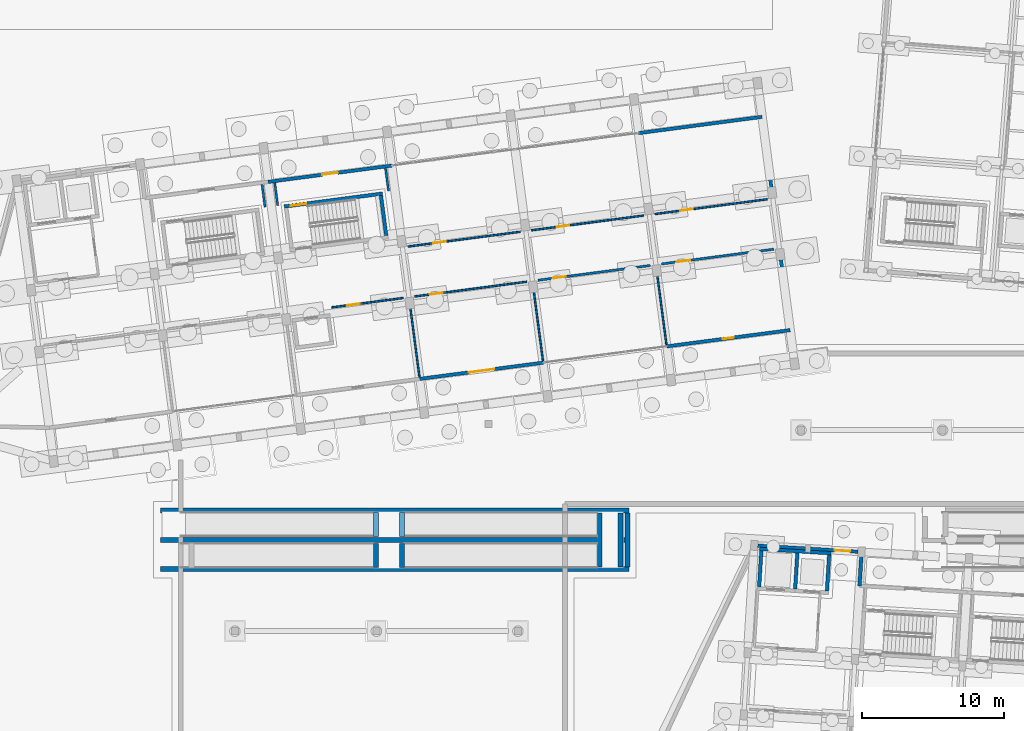
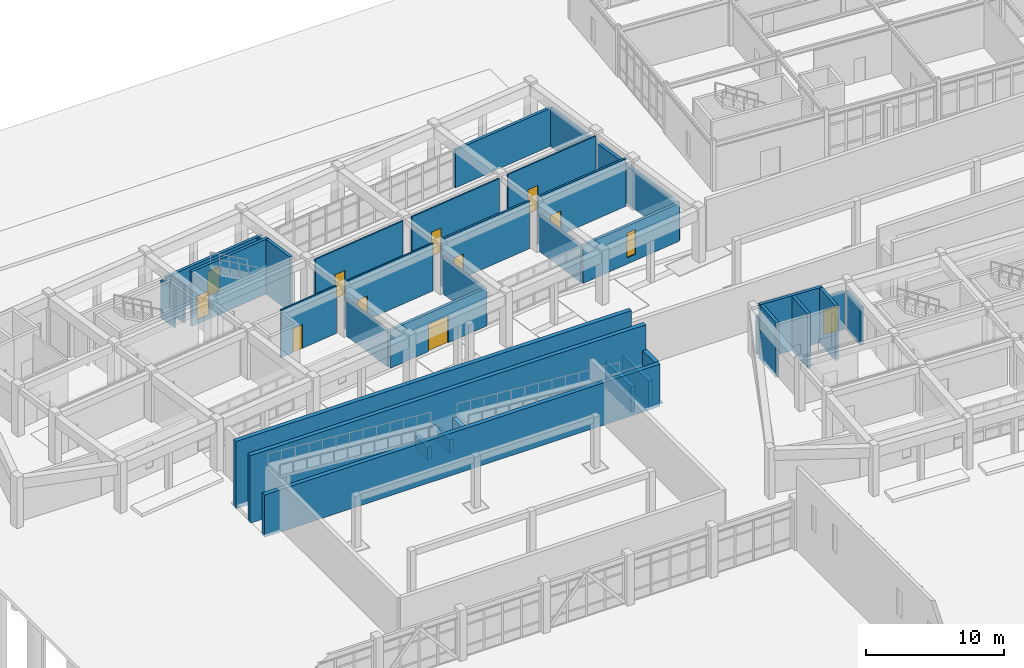
# One storey, part 124 of 154: 36 walls, 11 doors, 1 window, 12 openings.
"""IFC4 building model written with IfcOpenShell, lengths in metres."""

from ifc_helpers import new_model, si_unit, direction, frame, frame_2d, origin, place, context, subcontext, project, spatial, rectangle, extrude, material, layer, layer_set, type_object, element, fill, save


model = new_model("IFC4")

# Units and contexts
model_context = context("Model", 3, precision=1e-05, world=origin(), true_north=direction((0.0, 1.0)))
body_context = subcontext(model_context, "Body", "Model", "MODEL_VIEW")
ifc_project = project(units=[si_unit("LENGTHUNIT", "METRE"), si_unit("AREAUNIT", "SQUARE_METRE"), si_unit("VOLUMEUNIT", "CUBIC_METRE"), si_unit("PLANEANGLEUNIT", "RADIAN"), si_unit("MASSUNIT", "GRAM", prefix="KILO")], contexts=[model_context])

# Site, building, storey
site_placement = place(None, origin())
site = spatial("IfcSite", under=ifc_project, at=site_placement, CompositionType="ELEMENT")
building_placement = place(site_placement, origin())
building = spatial("IfcBuilding", under=site, at=building_placement, Name="Kestramere Prow Commons", CompositionType="ELEMENT")
storey_placement = place(building_placement, origin())
storey = spatial("IfcBuildingStorey", under=building, at=storey_placement, Name="L00", CompositionType="ELEMENT", Elevation=0.0)

# Walls
ifc_material_1 = material(Name="Weathered Zinc-Titanium Standing-Seam Cladding")
ifc_layer_1 = layer(ifc_material_1, 0.260009765625)
ifc_layer_set_1 = layer_set([ifc_layer_1], Name="Weathered Zinc-Titanium Standing-Seam Cladding")
wall_type_1 = type_object("IfcWallType", Name="EW-PROW-260", PredefinedType="SOLIDWALL", material=ifc_layer_set_1)
wall_1_placement = place(storey_placement, frame((61.2509765625, 96.34130859375, 0.0), z_axis=(0.0, 0.0, 1.0), x_axis=(0.13053386968, -0.991443850587, 0.0)))
element("IfcWall", 1, at=wall_1_placement, inside=storey, type_object=wall_type_1, Name="Block A L00 EAV Wall", PredefinedType="SOLIDWALL", context=body_context, shape_type="SweptSolid", body=[
    extrude(rectangle(XDim=15.2001953125, YDim=0.260009765625, at=frame_2d((7.60009765625, 0.0))), origin(), (0.0, 0.0, 1.0), 3.35009765625),
])
wall_2_placement = place(storey_placement, frame((68.282470703125, 65.599365234375, 0.0), z_axis=(0.0, 0.0, 1.0), x_axis=(-0.061136950836, -0.998129387025, 0.0)))
element("IfcWall", 2, at=wall_2_placement, inside=storey, type_object=wall_type_1, Name="Block C L00 STP-N Wall", PredefinedType="SOLIDWALL", context=body_context, shape_type="SweptSolid", body=[
    extrude(rectangle(XDim=2.39990234375, YDim=0.260009765625, at=frame_2d((1.199951171875, 0.0))), origin(), (0.0, 0.0, 1.0), 3.35009765625),
])

# Wall, opening, door
ifc_material_2 = material(Name="Fluoropolymer Standing-Seam Zinc-Aluminium Cladding", Category="aluminium")
ifc_layer_2 = layer(ifc_material_2, 0.239990234375)
ifc_layer_set_2 = layer_set([ifc_layer_2], Name="Fluoropolymer Standing-Seam Zinc-Aluminium Cladding")
wall_type_2 = type_object("IfcWallType", Name="EW-SEAM-240", PredefinedType="SOLIDWALL", material=ifc_layer_set_2)
wall_3_placement = place(storey_placement, frame((45.78564453125, 78.973876953125, 0.0), z_axis=(0.0, 0.0, 1.0), x_axis=(-0.991447967712, -0.130502595073, 0.0)))
wall_3 = element("IfcWall", 3, at=wall_3_placement, inside=storey, type_object=wall_type_2, Name="Block A L00 South Recessed Wall 4", PredefinedType="SOLIDWALL", context=body_context, shape_type="SweptSolid", body=[
    extrude(rectangle(XDim=8.800048828125, YDim=0.239990234375, at=frame_2d((4.39990234375, 0.0))), origin(), (0.0, 0.0, 1.0), 3.35009765625),
])
opening_1_placement = place(wall_3_placement, frame((3.5, 0.0, 0.0)))
opening_1 = element("IfcOpeningElement", 4, at=opening_1_placement, cuts=wall_3, Name="Opening ED-01", PredefinedType="OPENING", context=body_context, shape_type="SweptSolid", body=[
    extrude(rectangle(XDim=1.800048828125, YDim=2.39990234375, at=frame_2d((0.89990234375, 1.199951171875))), frame((0.0, 0.135009765625, 0.0), z_axis=(0.0, -1.0, 0.0), x_axis=(1.0, 0.0, 0.0)), (0.0, 0.0, 1.0), 0.27001953125),
])
ifc_material_3 = material(Name="Thermally-Broken Anodised Aluminium Glazed", Category="aluminium")
door_type_1 = type_object("IfcDoorType", Name="ED-MAIN-1800", OperationType="DOUBLE_DOOR_SINGLE_SWING", PredefinedType="DOOR", material=ifc_material_3)
door_1_placement = place(opening_1_placement, origin())
door_1 = element("IfcDoor", 5, at=door_1_placement, inside=storey, type_object=door_type_1, Name="Block A Main Sheltered Entrance Door", OperationType="DOUBLE_DOOR_SINGLE_SWING", OverallHeight=2.39990234375, OverallWidth=1.800048828125, PredefinedType="DOOR", context=body_context, shape_type="SweptSolid", body=[
    extrude(rectangle(XDim=1.800048828125, YDim=2.39990234375, at=frame_2d((0.89990234375, 1.199951171875))), frame((0.0, 0.02490234375, 0.0), z_axis=(0.0, -1.0, 0.0), x_axis=(1.0, 0.0, 0.0)), (0.0, 0.0, 1.0), 0.050048828125),
])
fill(opening_1, door_1)

# Wall, opening, window
wall_4_placement = place(storey_placement, frame((63.235107421875, 81.271240234375, 0.0), z_axis=(0.0, 0.0, 1.0), x_axis=(-0.991444377792, -0.130529865336, 0.0)))
wall_4 = element("IfcWall", 6, at=wall_4_placement, inside=storey, type_object=wall_type_2, Name="Block A L00 South Recessed Wall 6", PredefinedType="SOLIDWALL", context=body_context, shape_type="SweptSolid", body=[
    extrude(rectangle(XDim=8.800048828125, YDim=0.239990234375, at=frame_2d((4.39990234375, 0.0))), origin(), (0.0, 0.0, 1.0), 3.35009765625),
])
opening_2_placement = place(wall_4_placement, frame((4.010009765625, 0.0, 0.550048828125)))
opening_2 = element("IfcOpeningElement", 7, at=opening_2_placement, cuts=wall_4, Name="Opening WN-11", PredefinedType="OPENING", context=body_context, shape_type="SweptSolid", body=[
    extrude(rectangle(XDim=0.780029296875, YDim=2.199951171875, at=frame_2d((0.39013671875, 1.10009765625))), frame((0.0, 0.135009765625, 0.0), z_axis=(0.0, -1.0, 0.0), x_axis=(1.0, 0.0, 0.0)), (0.0, 0.0, 1.0), 0.27001953125),
])
ifc_material_4 = material(Name="Low-E Laminated Double Glazing", Category="glass")
window_type = type_object("IfcWindowType", Name="WN-NAR-780A", PartitioningType="SINGLE_PANEL", PredefinedType="WINDOW", material=ifc_material_4)
window_placement = place(opening_2_placement, origin())
window = element("IfcWindow", 8, at=window_placement, inside=storey, type_object=window_type, Name="WN-A-L00-S-5", OverallHeight=2.199951171875, OverallWidth=0.780029296875, PartitioningType="SINGLE_PANEL", PredefinedType="WINDOW", context=body_context, shape_type="SweptSolid", body=[
    extrude(rectangle(XDim=0.780029296875, YDim=2.199951171875, at=frame_2d((0.39013671875, 1.10009765625))), frame((0.0, 0.030029296875, 0.0), z_axis=(0.0, -1.0, 0.0), x_axis=(1.0, 0.0, 0.0)), (0.0, 0.0, 1.0), 0.06005859375),
])
fill(opening_2, window)

# Wall, opening, door
wall_5_placement = place(storey_placement, frame((26.35205078125, 91.74658203125, 0.0), z_axis=(0.0, 0.0, 1.0), x_axis=(0.991444377792, 0.130529865336, 0.0)))
wall_5 = element("IfcWall", 9, at=wall_5_placement, inside=storey, type_object=wall_type_2, Name="Block A L00 North Recessed Wall 3", PredefinedType="SOLIDWALL", context=body_context, shape_type="SweptSolid", body=[
    extrude(rectangle(XDim=8.800048828125, YDim=0.239990234375, at=frame_2d((4.39990234375, 0.0))), origin(), (0.0, 0.0, 1.0), 3.35009765625),
])
opening_3_placement = place(wall_5_placement, frame((3.85009765625, 0.0, 0.0)))
opening_3 = element("IfcOpeningElement", 10, at=opening_3_placement, cuts=wall_5, Name="Opening ED-03", PredefinedType="OPENING", context=body_context, shape_type="SweptSolid", body=[
    extrude(rectangle(XDim=1.10009765625, YDim=2.14990234375, at=frame_2d((0.550048828125, 1.074951171875))), frame((0.0, 0.135009765625, 0.0), z_axis=(0.0, -1.0, 0.0), x_axis=(1.0, 0.0, 0.0)), (0.0, 0.0, 1.0), 0.27001953125),
])
door_type_2 = type_object("IfcDoorType", Name="ED-STAIR-1100", OperationType="NOTDEFINED", PredefinedType="DOOR", material=ifc_material_3)
door_2_placement = place(opening_3_placement, origin())
door_2 = element("IfcDoor", 11, at=door_2_placement, inside=storey, type_object=door_type_2, Name="Block A Stair 2 Final Exit Door", OperationType="SINGLE_SWING_LEFT", OverallHeight=2.14990234375, OverallWidth=1.10009765625, PredefinedType="DOOR", context=body_context, shape_type="SweptSolid", body=[
    extrude(rectangle(XDim=1.10009765625, YDim=2.14990234375, at=frame_2d((0.550048828125, 1.074951171875))), frame((0.0, 0.02490234375, 0.0), z_axis=(0.0, -1.0, 0.0), x_axis=(1.0, 0.0, 0.0)), (0.0, 0.0, 1.0), 0.050048828125),
])
fill(opening_3, door_2)

# Wall
wall_6_placement = place(storey_placement, frame((52.5263671875, 95.192626953125, 0.0), z_axis=(0.0, 0.0, 1.0), x_axis=(0.991443905089, 0.130533455715, 0.0)))
element("IfcWall", 12, at=wall_6_placement, inside=storey, type_object=wall_type_2, Name="Block A L00 North Recessed Wall 6", PredefinedType="SOLIDWALL", context=body_context, shape_type="SweptSolid", body=[
    extrude(rectangle(XDim=8.7998046875, YDim=0.239990234375, at=frame_2d((4.39990234375, 0.0))), origin(), (0.0, 0.0, 1.0), 3.35009765625),
])

# Wall, opening, door
wall_7_placement = place(storey_placement, frame((60.946044921875, 66.048095703125, 0.0), z_axis=(0.0, 0.0, 1.0), x_axis=(0.99813569621, -0.061033859059, 0.0)))
wall_7 = element("IfcWall", 13, at=wall_7_placement, inside=storey, type_object=wall_type_2, Name="Block C L00 North Recessed Wall 1", PredefinedType="SOLIDWALL", context=body_context, shape_type="SweptSolid", body=[
    extrude(rectangle(XDim=7.10009765625, YDim=0.239990234375, at=frame_2d((3.550048828125, 0.0))), origin(), (0.0, 0.0, 1.0), 3.35009765625),
])
opening_4_placement = place(wall_7_placement, frame((5.449951171875, 0.0, 0.0)))
opening_4 = element("IfcOpeningElement", 14, at=opening_4_placement, cuts=wall_7, Name="Opening ED-04", PredefinedType="OPENING", context=body_context, shape_type="SweptSolid", body=[
    extrude(rectangle(XDim=1.10009765625, YDim=2.14990234375, at=frame_2d((0.550048828125, 1.074951171875))), frame((0.0, 0.135009765625, 0.0), z_axis=(0.0, -1.0, 0.0), x_axis=(1.0, 0.0, 0.0)), (0.0, 0.0, 1.0), 0.27001953125),
])
door_type_3 = type_object("IfcDoorType", Name="ED-FFL-1100", OperationType="NOTDEFINED", PredefinedType="DOOR", material=ifc_material_3)
door_3_placement = place(opening_4_placement, origin())
door_3 = element("IfcDoor", 15, at=door_3_placement, inside=storey, type_object=door_type_3, Name="Block C Fire-Fighting Lobby Exit Door", OperationType="SINGLE_SWING_LEFT", OverallHeight=2.14990234375, OverallWidth=1.10009765625, PredefinedType="DOOR", context=body_context, shape_type="SweptSolid", body=[
    extrude(rectangle(XDim=1.10009765625, YDim=2.14990234375, at=frame_2d((0.550048828125, 1.074951171875))), frame((0.0, 0.02490234375, 0.0), z_axis=(0.0, -1.0, 0.0), x_axis=(1.0, 0.0, 0.0)), (0.0, 0.0, 1.0), 0.050048828125),
])
fill(opening_4, door_3)

ifc_material_5 = material(Name="Concrete C40/50", Category="concrete")
ifc_layer_3 = layer(ifc_material_5, 0.25)
ifc_layer_set_3 = layer_set([ifc_layer_3], Name="Concrete C40/50")
wall_type_3 = type_object("IfcWallType", Name="W-CORE-250", PredefinedType="SHEAR", material=ifc_layer_set_3)
wall_8_placement = place(storey_placement, frame((27.4892578125, 90.005126953125, -0.35009765625), z_axis=(0.0, 0.0, 1.0), x_axis=(0.991441944909, 0.130548343059, 0.0)))
wall_8 = element("IfcWall", 16, at=wall_8_placement, inside=storey, type_object=wall_type_3, Name="ST-A2 L00 North Shaft Wall", PredefinedType="SHEAR", context=body_context, shape_type="SweptSolid", body=[
    extrude(rectangle(XDim=6.999755859375, YDim=0.25, at=frame_2d((3.5, 0.0))), origin(), (0.0, 0.0, 1.0), 4.85009765625),
])
opening_5_placement = place(wall_8_placement, frame((0.449951171875, 0.0, 0.35009765625)))
opening_5 = element("IfcOpeningElement", 17, at=opening_5_placement, cuts=wall_8, Name="Opening ID-02", PredefinedType="OPENING", context=body_context, shape_type="SweptSolid", body=[
    extrude(rectangle(XDim=1.1201171875, YDim=2.14990234375, at=frame_2d((0.56005859375, 1.074951171875))), frame((0.0, 0.139892578125, 0.0), z_axis=(0.0, -1.0, 0.0), x_axis=(1.0, 0.0, 0.0)), (0.0, 0.0, 1.0), 0.280029296875),
])
ifc_material_6 = material(Name="Fire-Rated Timber and Steel Frame", Category="steel")
door_type_4 = type_object("IfcDoorType", Name="FD-ST-02", OperationType="NOTDEFINED", PredefinedType="DOOR", material=ifc_material_6)
door_4_placement = place(opening_5_placement, origin())
door_4 = element("IfcDoor", 18, at=door_4_placement, inside=storey, type_object=door_type_4, Name="ST-A2 L00 Discharge Vestibule Door", OperationType="SINGLE_SWING_RIGHT", OverallHeight=2.14990234375, OverallWidth=1.1201171875, PredefinedType="DOOR", context=body_context, shape_type="SweptSolid", body=[
    extrude(rectangle(XDim=1.1201171875, YDim=2.14990234375, at=frame_2d((0.56005859375, 1.074951171875))), frame((0.0, 0.02490234375, 0.0), z_axis=(0.0, -1.0, 0.0), x_axis=(1.0, 0.0, 0.0)), (0.0, 0.0, 1.0), 0.050048828125),
])
fill(opening_5, door_4)

# Walls
wall_9_placement = place(storey_placement, frame((34.693603515625, 87.953125, -0.35009765625), z_axis=(0.0, 0.0, 1.0), x_axis=(-0.130474457355, 0.991451671025, 0.0)))
element("IfcWall", 19, at=wall_9_placement, inside=storey, type_object=wall_type_3, Name="ST-A2 L00 Far Shaft Wall", PredefinedType="SHEAR", context=body_context, shape_type="SweptSolid", body=[
    extrude(rectangle(XDim=2.849853515625, YDim=0.25, at=frame_2d((1.4248046875, 0.0))), origin(), (0.0, 0.0, 1.0), 4.85009765625),
])
wall_10_placement = place(storey_placement, frame((61.08203125, 65.814453125, -0.35009765625), z_axis=(0.0, 0.0, 1.0), x_axis=(0.998134101522, -0.061059932685, 0.0)))
element("IfcWall", 20, at=wall_10_placement, inside=storey, type_object=wall_type_3, Name="Block C L00 Lift Core Back Wall", PredefinedType="SHEAR", context=body_context, shape_type="SweptSolid", body=[
    extrude(rectangle(XDim=5.050048828125, YDim=0.25, at=frame_2d((2.52490234375, 0.0))), origin(), (0.0, 0.0, 1.0), 4.85009765625),
])
wall_11_placement = place(storey_placement, frame((61.04345703125, 63.13671875, -0.35009765625), z_axis=(0.0, 0.0, 1.0), x_axis=(0.061078919587, 0.998132939834, 0.0)))
element("IfcWall", 21, at=wall_11_placement, inside=storey, type_object=wall_type_3, Name="Block C L00 Lift Core Side Wall L", PredefinedType="SHEAR", context=body_context, shape_type="SweptSolid", body=[
    extrude(rectangle(XDim=2.55029296875, YDim=0.25, at=frame_2d((1.275146484375, 0.0))), origin(), (0.0, 0.0, 1.0), 4.85009765625),
])
wall_12_placement = place(storey_placement, frame((63.5888671875, 62.981201171875, -0.35009765625), z_axis=(0.0, 0.0, 1.0), x_axis=(0.060989368901, 0.998138415692, 0.0)))
element("IfcWall", 22, at=wall_12_placement, inside=storey, type_object=wall_type_3, Name="Block C L00 Lift Core Side Wall M", PredefinedType="SHEAR", context=body_context, shape_type="SweptSolid", body=[
    extrude(rectangle(XDim=2.5498046875, YDim=0.25, at=frame_2d((1.27490234375, 0.0))), origin(), (0.0, 0.0, 1.0), 4.85009765625),
])
wall_13_placement = place(storey_placement, frame((65.83447265625, 62.84375, -0.35009765625), z_axis=(0.0, 0.0, 1.0), x_axis=(0.061084756616, 0.998132582631, 0.0)))
element("IfcWall", 23, at=wall_13_placement, inside=storey, type_object=wall_type_3, Name="Block C L00 Lift Core Side Wall R", PredefinedType="SHEAR", context=body_context, shape_type="SweptSolid", body=[
    extrude(rectangle(XDim=2.550048828125, YDim=0.25, at=frame_2d((1.27490234375, 0.0))), origin(), (0.0, 0.0, 1.0), 4.85009765625),
])
ifc_material_7 = material(Name="Fire-Rated Calcium Silicate Wall")
ifc_layer_4 = layer(ifc_material_7, 0.155029296875)
ifc_layer_set_4 = layer_set([ifc_layer_4], Name="Fire-Rated Calcium Silicate Wall")
wall_type_4 = type_object("IfcWallType", Name="W-FIRE-150", PredefinedType="PARTITIONING", material=ifc_layer_set_4)
wall_14_placement = place(storey_placement, frame((26.1337890625, 89.957763671875, 0.0), z_axis=(0.0, 0.0, 1.0), x_axis=(-0.130505189885, 0.991447626157, 0.0)))
element("IfcWall", 24, at=wall_14_placement, inside=storey, type_object=wall_type_4, Name="ST-A1 Discharge Vestibule Wall E", PredefinedType="PARTITIONING", context=body_context, shape_type="SweptSolid", body=[
    extrude(rectangle(XDim=1.6201171875, YDim=0.155029296875, at=frame_2d((0.81005859375, 0.0))), origin(), (0.0, 0.0, 1.0), 3.35009765625),
])
wall_15_placement = place(storey_placement, frame((27.026123046875, 90.075439453125, 0.0), z_axis=(0.0, 0.0, 1.0), x_axis=(-0.130524691554, 0.991445058939, 0.0)))
element("IfcWall", 25, at=wall_15_placement, inside=storey, type_object=wall_type_4, Name="ST-A2 Discharge Vestibule Wall W", PredefinedType="PARTITIONING", context=body_context, shape_type="SweptSolid", body=[
    extrude(rectangle(XDim=1.619873046875, YDim=0.155029296875, at=frame_2d((0.81005859375, 0.0))), origin(), (0.0, 0.0, 1.0), 3.35009765625),
])
wall_16_placement = place(storey_placement, frame((34.8583984375, 91.1064453125, 0.0), z_axis=(0.0, 0.0, 1.0), x_axis=(-0.130505189885, 0.991447626157, 0.0)))
element("IfcWall", 26, at=wall_16_placement, inside=storey, type_object=wall_type_4, Name="ST-A2 Discharge Vestibule Wall E", PredefinedType="PARTITIONING", context=body_context, shape_type="SweptSolid", body=[
    extrude(rectangle(XDim=1.6201171875, YDim=0.155029296875, at=frame_2d((0.81005859375, 0.0))), origin(), (0.0, 0.0, 1.0), 3.35009765625),
])

# Wall, opening, door
ifc_material_8 = material(Name="Lightweight Blockwork and Plaster", Category="masonry")
ifc_layer_5 = layer(ifc_material_8, 0.1201171875)
ifc_layer_set_5 = layer_set([ifc_layer_5], Name="Lightweight Blockwork and Plaster")
wall_type_5 = type_object("IfcWallType", Name="W-PART-120", PredefinedType="PARTITIONING", material=ifc_layer_set_5)
wall_17_placement = place(storey_placement, frame((30.848388671875, 82.877685546875, 0.0), z_axis=(0.0, 0.0, 1.0), x_axis=(0.991441907417, 0.13054862779, 0.0)))
wall_17 = element("IfcWall", 27, at=wall_17_placement, inside=storey, type_object=wall_type_5, Name="Interior Partition PW-A-L00-CS-2", PredefinedType="PARTITIONING", context=body_context, shape_type="SweptSolid", body=[
    extrude(rectangle(XDim=5.099853515625, YDim=0.1201171875, at=frame_2d((2.5498046875, 0.0))), origin(), (0.0, 0.0, 1.0), 4.219970703125),
])
opening_6_placement = place(wall_17_placement, frame((1.10009765625, 0.0, 0.0)))
opening_6 = element("IfcOpeningElement", 28, at=opening_6_placement, cuts=wall_17, Name="Opening ID-10", PredefinedType="OPENING", context=body_context, shape_type="SweptSolid", body=[
    extrude(rectangle(XDim=0.8798828125, YDim=2.10009765625, at=frame_2d((0.43994140625, 1.050048828125))), frame((0.0, 0.074951171875, 0.0), z_axis=(0.0, -1.0, 0.0), x_axis=(1.0, 0.0, 0.0)), (0.0, 0.0, 1.0), 0.150146484375),
])
ifc_material_9 = material(Name="Engineered Timber Bedroom Door", Category="wood")
door_type_5 = type_object("IfcDoorType", Name="D-RM-03", OperationType="NOTDEFINED", PredefinedType="DOOR", material=ifc_material_9)
door_5_placement = place(opening_6_placement, origin())
door_5 = element("IfcDoor", 29, at=door_5_placement, inside=storey, type_object=door_type_5, Name="Interior Door DR-A-L00-S-2", OperationType="SINGLE_SWING_LEFT", OverallHeight=2.10009765625, OverallWidth=0.8798828125, PredefinedType="DOOR", context=body_context, shape_type="SweptSolid", body=[
    extrude(rectangle(XDim=0.8798828125, YDim=2.10009765625, at=frame_2d((0.43994140625, 1.050048828125))), frame((0.0, 0.02490234375, 0.0), z_axis=(0.0, -1.0, 0.0), x_axis=(1.0, 0.0, 0.0)), (0.0, 0.0, 1.0), 0.050048828125),
])
fill(opening_6, door_5)

wall_18_placement = place(storey_placement, frame((36.69775390625, 83.647705078125, 0.0), z_axis=(0.0, 0.0, 1.0), x_axis=(0.991445360318, 0.130522402305, 0.0)))
wall_18 = element("IfcWall", 30, at=wall_18_placement, inside=storey, type_object=wall_type_5, Name="Interior Partition PW-A-L00-CS-3", PredefinedType="PARTITIONING", context=body_context, shape_type="SweptSolid", body=[
    extrude(rectangle(XDim=8.0, YDim=0.1201171875, at=frame_2d((4.0, 0.0))), origin(), (0.0, 0.0, 1.0), 4.219970703125),
])
opening_7_placement = place(wall_18_placement, frame((1.10009765625, 0.0, 0.0)))
opening_7 = element("IfcOpeningElement", 31, at=opening_7_placement, cuts=wall_18, Name="Opening ID-08", PredefinedType="OPENING", context=body_context, shape_type="SweptSolid", body=[
    extrude(rectangle(XDim=0.89990234375, YDim=2.10009765625, at=frame_2d((0.449951171875, 1.050048828125))), frame((0.0, 0.074951171875, 0.0), z_axis=(0.0, -1.0, 0.0), x_axis=(1.0, 0.0, 0.0)), (0.0, 0.0, 1.0), 0.150146484375),
])
ifc_material_10 = material(Name="Engineered Timber Flush Door", Category="wood")
door_type_6 = type_object("IfcDoorType", Name="D-RM-01", OperationType="NOTDEFINED", PredefinedType="DOOR", material=ifc_material_10)
door_6_placement = place(opening_7_placement, origin())
door_6 = element("IfcDoor", 32, at=door_6_placement, inside=storey, type_object=door_type_6, Name="Interior Door DR-A-L00-S-3", OperationType="SINGLE_SWING_RIGHT", OverallHeight=2.10009765625, OverallWidth=0.89990234375, PredefinedType="DOOR", context=body_context, shape_type="SweptSolid", body=[
    extrude(rectangle(XDim=0.89990234375, YDim=2.10009765625, at=frame_2d((0.449951171875, 1.050048828125))), frame((0.0, 0.02490234375, 0.0), z_axis=(0.0, -1.0, 0.0), x_axis=(1.0, 0.0, 0.0)), (0.0, 0.0, 1.0), 0.050048828125),
])
fill(opening_7, door_6)

# Walls
wall_19_placement = place(storey_placement, frame((37.0439453125, 77.954345703125, 0.0), z_axis=(0.0, 0.0, 1.0), x_axis=(-0.130522269222, 0.991445377838, 0.0)))
element("IfcWall", 33, at=wall_19_placement, inside=storey, type_object=wall_type_5, Name="Interior Partition PW-A-L00-DVS-3", PredefinedType="PARTITIONING", context=body_context, shape_type="SweptSolid", body=[
    extrude(rectangle(XDim=4.93994140625, YDim=0.1201171875, at=frame_2d((2.469970703125, 0.0))), origin(), (0.0, 0.0, 1.0), 3.320068359375),
])
wall_20_placement = place(storey_placement, frame((45.7685546875, 79.102783203125, 0.0), z_axis=(0.0, 0.0, 1.0), x_axis=(-0.130515874105, 0.991446219725, 0.0)))
element("IfcWall", 34, at=wall_20_placement, inside=storey, type_object=wall_type_5, Name="Interior Partition PW-A-L00-DVS-4", PredefinedType="PARTITIONING", context=body_context, shape_type="SweptSolid", body=[
    extrude(rectangle(XDim=4.940185546875, YDim=0.1201171875, at=frame_2d((2.47021484375, 0.0))), origin(), (0.0, 0.0, 1.0), 3.320068359375),
])
wall_21_placement = place(storey_placement, frame((54.493408203125, 80.25146484375, 0.0), z_axis=(0.0, 0.0, 1.0), x_axis=(-0.130522269222, 0.991445377838, 0.0)))
element("IfcWall", 35, at=wall_21_placement, inside=storey, type_object=wall_type_5, Name="Interior Partition PW-A-L00-DVS-5", PredefinedType="PARTITIONING", context=body_context, shape_type="SweptSolid", body=[
    extrude(rectangle(XDim=4.93994140625, YDim=0.1201171875, at=frame_2d((2.469970703125, 0.0))), origin(), (0.0, 0.0, 1.0), 3.320068359375),
])

# Wall, opening, door
wall_22_placement = place(storey_placement, frame((36.233154296875, 87.17724609375, 0.0), z_axis=(0.0, 0.0, 1.0), x_axis=(0.991445360318, 0.130522402305, 0.0)))
wall_22 = element("IfcWall", 36, at=wall_22_placement, inside=storey, type_object=wall_type_5, Name="Interior Partition PW-A-L00-CN-3", PredefinedType="PARTITIONING", context=body_context, shape_type="SweptSolid", body=[
    extrude(rectangle(XDim=8.0, YDim=0.1201171875, at=frame_2d((4.0, 0.0))), origin(), (0.0, 0.0, 1.0), 4.219970703125),
])
opening_8_placement = place(wall_22_placement, frame((1.800048828125, 0.0, 0.0)))
opening_8 = element("IfcOpeningElement", 37, at=opening_8_placement, cuts=wall_22, Name="Opening ID-08", PredefinedType="OPENING", context=body_context, shape_type="SweptSolid", body=[
    extrude(rectangle(XDim=0.89990234375, YDim=2.10009765625, at=frame_2d((0.449951171875, 1.050048828125))), frame((0.0, 0.074951171875, 0.0), z_axis=(0.0, -1.0, 0.0), x_axis=(1.0, 0.0, 0.0)), (0.0, 0.0, 1.0), 0.150146484375),
])
door_7_placement = place(opening_8_placement, origin())
door_7 = element("IfcDoor", 38, at=door_7_placement, inside=storey, type_object=door_type_6, Name="Interior Door DR-A-L00-N-3", OperationType="SINGLE_SWING_RIGHT", OverallHeight=2.10009765625, OverallWidth=0.89990234375, PredefinedType="DOOR", context=body_context, shape_type="SweptSolid", body=[
    extrude(rectangle(XDim=0.89990234375, YDim=2.10009765625, at=frame_2d((0.449951171875, 1.050048828125))), frame((0.0, 0.02490234375, 0.0), z_axis=(0.0, -1.0, 0.0), x_axis=(1.0, 0.0, 0.0)), (0.0, 0.0, 1.0), 0.050048828125),
])
fill(opening_8, door_7)

wall_23_placement = place(storey_placement, frame((44.957763671875, 88.325927734375, 0.0), z_axis=(0.0, 0.0, 1.0), x_axis=(0.991445360318, 0.130522402305, 0.0)))
wall_23 = element("IfcWall", 39, at=wall_23_placement, inside=storey, type_object=wall_type_5, Name="Interior Partition PW-A-L00-CN-4", PredefinedType="PARTITIONING", context=body_context, shape_type="SweptSolid", body=[
    extrude(rectangle(XDim=8.0, YDim=0.1201171875, at=frame_2d((4.0, 0.0))), origin(), (0.0, 0.0, 1.0), 4.219970703125),
])
opening_9_placement = place(wall_23_placement, frame((1.800048828125, 0.0, 0.0)))
opening_9 = element("IfcOpeningElement", 40, at=opening_9_placement, cuts=wall_23, Name="Opening ID-10", PredefinedType="OPENING", context=body_context, shape_type="SweptSolid", body=[
    extrude(rectangle(XDim=0.8798828125, YDim=2.10009765625, at=frame_2d((0.43994140625, 1.050048828125))), frame((0.0, 0.074951171875, 0.0), z_axis=(0.0, -1.0, 0.0), x_axis=(1.0, 0.0, 0.0)), (0.0, 0.0, 1.0), 0.150146484375),
])
door_8_placement = place(opening_9_placement, origin())
door_8 = element("IfcDoor", 41, at=door_8_placement, inside=storey, type_object=door_type_5, Name="Interior Door DR-A-L00-N-4", OperationType="SINGLE_SWING_LEFT", OverallHeight=2.10009765625, OverallWidth=0.8798828125, PredefinedType="DOOR", context=body_context, shape_type="SweptSolid", body=[
    extrude(rectangle(XDim=0.8798828125, YDim=2.10009765625, at=frame_2d((0.43994140625, 1.050048828125))), frame((0.0, 0.02490234375, 0.0), z_axis=(0.0, -1.0, 0.0), x_axis=(1.0, 0.0, 0.0)), (0.0, 0.0, 1.0), 0.050048828125),
])
fill(opening_9, door_8)

wall_24_placement = place(storey_placement, frame((53.6826171875, 89.474609375, 0.0), z_axis=(0.0, 0.0, 1.0), x_axis=(0.991444840399, 0.130526351537, 0.0)))
wall_24 = element("IfcWall", 42, at=wall_24_placement, inside=storey, type_object=wall_type_5, Name="Interior Partition PW-A-L00-CN-5", PredefinedType="PARTITIONING", context=body_context, shape_type="SweptSolid", body=[
    extrude(rectangle(XDim=7.999755859375, YDim=0.1201171875, at=frame_2d((4.0, 0.0))), origin(), (0.0, 0.0, 1.0), 4.219970703125),
])
opening_10_placement = place(wall_24_placement, frame((1.800048828125, 0.0, 0.0)))
opening_10 = element("IfcOpeningElement", 43, at=opening_10_placement, cuts=wall_24, Name="Opening ID-08", PredefinedType="OPENING", context=body_context, shape_type="SweptSolid", body=[
    extrude(rectangle(XDim=0.89990234375, YDim=2.10009765625, at=frame_2d((0.449951171875, 1.050048828125))), frame((0.0, 0.074951171875, 0.0), z_axis=(0.0, -1.0, 0.0), x_axis=(1.0, 0.0, 0.0)), (0.0, 0.0, 1.0), 0.150146484375),
])
door_9_placement = place(opening_10_placement, origin())
door_9 = element("IfcDoor", 44, at=door_9_placement, inside=storey, type_object=door_type_6, Name="Interior Door DR-A-L00-N-5", OperationType="SINGLE_SWING_RIGHT", OverallHeight=2.10009765625, OverallWidth=0.89990234375, PredefinedType="DOOR", context=body_context, shape_type="SweptSolid", body=[
    extrude(rectangle(XDim=0.89990234375, YDim=2.10009765625, at=frame_2d((0.449951171875, 1.050048828125))), frame((0.0, 0.02490234375, 0.0), z_axis=(0.0, -1.0, 0.0), x_axis=(1.0, 0.0, 0.0)), (0.0, 0.0, 1.0), 0.050048828125),
])
fill(opening_10, door_9)

ifc_material_11 = material(Name="Waterproof Sanitary Masonry Wall", Category="masonry")
ifc_layer_6 = layer(ifc_material_11, 0.1650390625)
ifc_layer_set_6 = layer_set([ifc_layer_6], Name="Waterproof Sanitary Masonry Wall")
wall_type_6 = type_object("IfcWallType", Name="W-PLUMB-150", PredefinedType="PLUMBINGWALL", material=ifc_layer_set_6)
wall_25_placement = place(storey_placement, frame((45.422607421875, 84.79638671875, 0.0), z_axis=(0.0, 0.0, 1.0), x_axis=(0.991444840399, 0.130526351537, 0.0)))
wall_25 = element("IfcWall", 45, at=wall_25_placement, inside=storey, type_object=wall_type_6, Name="Interior Partition PW-A-L00-CS-4", PredefinedType="PLUMBINGWALL", context=body_context, shape_type="SweptSolid", body=[
    extrude(rectangle(XDim=7.999755859375, YDim=0.1650390625, at=frame_2d((4.0, 0.0))), origin(), (0.0, 0.0, 1.0), 4.219970703125),
])
opening_11_placement = place(wall_25_placement, frame((1.10009765625, 0.0, 0.0)))
opening_11 = element("IfcOpeningElement", 46, at=opening_11_placement, cuts=wall_25, Name="Opening ID-12", PredefinedType="OPENING", context=body_context, shape_type="SweptSolid", body=[
    extrude(rectangle(XDim=0.860107421875, YDim=2.10009765625, at=frame_2d((0.43017578125, 1.050048828125))), frame((0.0, 0.097412109375, 0.0), z_axis=(0.0, -1.0, 0.0), x_axis=(1.0, 0.0, 0.0)), (0.0, 0.0, 1.0), 0.195068359375),
])
ifc_material_12 = material(Name="Moisture-Resistant Timber WC Door", Category="wood")
door_type_7 = type_object("IfcDoorType", Name="D-WC-01", OperationType="NOTDEFINED", PredefinedType="DOOR", material=ifc_material_12)
door_10_placement = place(opening_11_placement, origin())
door_10 = element("IfcDoor", 47, at=door_10_placement, inside=storey, type_object=door_type_7, Name="Interior Door DR-A-L00-S-4", OperationType="SINGLE_SWING_LEFT", OverallHeight=2.10009765625, OverallWidth=0.860107421875, PredefinedType="DOOR", context=body_context, shape_type="SweptSolid", body=[
    extrude(rectangle(XDim=0.860107421875, YDim=2.10009765625, at=frame_2d((0.43017578125, 1.050048828125))), frame((0.0, 0.02490234375, 0.0), z_axis=(0.0, -1.0, 0.0), x_axis=(1.0, 0.0, 0.0)), (0.0, 0.0, 1.0), 0.050048828125),
])
fill(opening_11, door_10)

wall_26_placement = place(storey_placement, frame((54.147216796875, 85.945068359375, 0.0), z_axis=(0.0, 0.0, 1.0), x_axis=(0.991445360318, 0.130522402305, 0.0)))
wall_26 = element("IfcWall", 48, at=wall_26_placement, inside=storey, type_object=wall_type_6, Name="Interior Partition PW-A-L00-CS-5", PredefinedType="PLUMBINGWALL", context=body_context, shape_type="SweptSolid", body=[
    extrude(rectangle(XDim=8.0, YDim=0.1650390625, at=frame_2d((4.0, 0.0))), origin(), (0.0, 0.0, 1.0), 4.219970703125),
])
opening_12_placement = place(wall_26_placement, frame((1.10009765625, 0.0, 0.0)))
opening_12 = element("IfcOpeningElement", 49, at=opening_12_placement, cuts=wall_26, Name="Opening ID-13", PredefinedType="OPENING", context=body_context, shape_type="SweptSolid", body=[
    extrude(rectangle(XDim=0.9599609375, YDim=2.1201171875, at=frame_2d((0.47998046875, 1.06005859375))), frame((0.0, 0.097412109375, 0.0), z_axis=(0.0, -1.0, 0.0), x_axis=(1.0, 0.0, 0.0)), (0.0, 0.0, 1.0), 0.195068359375),
])
ifc_material_13 = material(Name="Accessible Wide-Leaf Timber Door", Category="wood")
door_type_8 = type_object("IfcDoorType", Name="D-ACC-01", OperationType="NOTDEFINED", PredefinedType="DOOR", material=ifc_material_13)
door_11_placement = place(opening_12_placement, origin())
door_11 = element("IfcDoor", 50, at=door_11_placement, inside=storey, type_object=door_type_8, Name="Interior Door DR-A-L00-S-5", OperationType="SINGLE_SWING_RIGHT", OverallHeight=2.1201171875, OverallWidth=0.9599609375, PredefinedType="DOOR", context=body_context, shape_type="SweptSolid", body=[
    extrude(rectangle(XDim=0.9599609375, YDim=2.1201171875, at=frame_2d((0.47998046875, 1.06005859375))), frame((0.0, 0.02490234375, 0.0), z_axis=(0.0, -1.0, 0.0), x_axis=(1.0, 0.0, 0.0)), (0.0, 0.0, 1.0), 0.050048828125),
])
fill(opening_12, door_11)

# Walls
ifc_material_14 = material(Name="Pigmented Charcoal Concrete C35/45", Category="concrete")
ifc_layer_7 = layer(ifc_material_14, 0.35009765625)
ifc_layer_set_7 = layer_set([ifc_layer_7], Name="Pigmented Charcoal Concrete C35/45")
wall_type_7 = type_object("IfcWallType", Name="W-RET-350", PredefinedType="USERDEFINED", material=ifc_layer_set_7)
wall_27_placement = place(storey_placement, frame((18.75, 64.3798828125, -0.35009765625), z_axis=(0.0, 0.0, 1.0), x_axis=(1.0, 0.0, 0.0)))
element("IfcWall", 51, at=wall_27_placement, inside=storey, type_object=wall_type_7, Name="Hillside Ramp W Retaining Cheek Wall 1", ObjectType="RETAINING WALL", PredefinedType="USERDEFINED", context=body_context, shape_type="SweptSolid", body=[
    extrude(rectangle(XDim=33.10009765625, YDim=0.35009765625, at=frame_2d((16.550048828125, 0.0))), origin(), (0.0, 0.0, 1.0), 3.75),
])
for number, where, z_axis, x_axis, name in (
    (52, (18.75, 66.449951171875, -0.35009765625), (0.0, 0.0, 1.0), (1.0, 0.0, 0.0), "Hillside Ramp W Retaining Cheek Wall 2"),
    (53, (18.75, 68.52001953125, -0.35009765625), (0.0, 0.0, 1.0), (1.0, 0.0, 0.0), "Hillside Ramp W Retaining Cheek Wall 3"),
):
    element("IfcWall", number, at=place(storey_placement, frame(where, z_axis=z_axis, x_axis=x_axis)), inside=storey, type_object=wall_type_7, Name=name, ObjectType="RETAINING WALL", PredefinedType="USERDEFINED", context=body_context, shape_type="SweptSolid", body=[
        extrude(rectangle(XDim=33.10009765625, YDim=0.35009765625, at=frame_2d((16.550048828125, 0.0))), origin(), (0.0, 0.0, 1.0), 5.97021484375),
    ])
wall_28_placement = place(storey_placement, frame((51.75, 64.550048828125, -0.35009765625), z_axis=(0.0, 0.0, 1.0), x_axis=(0.0, 1.0, 0.0)))
element("IfcWall", 54, at=wall_28_placement, inside=storey, type_object=wall_type_7, Name="Hillside Ramp W Turn Retaining Wall", ObjectType="RETAINING WALL", PredefinedType="USERDEFINED", context=body_context, shape_type="SweptSolid", body=[
    extrude(rectangle(XDim=3.800048828125, YDim=0.35009765625, at=frame_2d((1.89990234375, 0.0))), origin(), (0.0, 0.0, 1.0), 3.77001953125),
])
for number, where, z_axis, x_axis, name in (
    (55, (33.97998046875, 66.699951171875, -0.35009765625), (0.0, 0.0, 1.0), (0.0, 1.0, 0.0), "Hillside Ramp W Bearing Stem Wall LM0"),
    (56, (35.820068359375, 66.699951171875, -0.35009765625), (0.0, 0.0, 1.0), (0.0, 1.0, 0.0), "Hillside Ramp W Bearing Stem Wall LM1"),
):
    element("IfcWall", number, at=place(storey_placement, frame(where, z_axis=z_axis, x_axis=x_axis)), inside=storey, type_object=wall_type_7, Name=name, ObjectType="RETAINING WALL", PredefinedType="USERDEFINED", context=body_context, shape_type="SweptSolid", body=[
        extrude(rectangle(XDim=1.699951171875, YDim=0.35009765625, at=frame_2d((0.85009765625, 0.0))), origin(), (0.0, 0.0, 1.0), 1.175048828125),
    ])
for number, where, z_axis, x_axis, name in (
    (57, (49.780029296875, 64.550048828125, -0.35009765625), (0.0, 0.0, 1.0), (0.0, 1.0, 0.0), "Hillside Ramp W Bearing Stem Wall TRN0"),
    (58, (51.25, 64.550048828125, -0.35009765625), (0.0, 0.0, 1.0), (0.0, 1.0, 0.0), "Hillside Ramp W Bearing Stem Wall TRN1"),
):
    element("IfcWall", number, at=place(storey_placement, frame(where, z_axis=z_axis, x_axis=x_axis)), inside=storey, type_object=wall_type_7, Name=name, ObjectType="RETAINING WALL", PredefinedType="USERDEFINED", context=body_context, shape_type="SweptSolid", body=[
        extrude(rectangle(XDim=3.800048828125, YDim=0.35009765625, at=frame_2d((1.89990234375, 0.0))), origin(), (0.0, 0.0, 1.0), 2.300048828125),
    ])
for number, where, z_axis, x_axis, name in (
    (59, (35.820068359375, 64.5, -0.35009765625), (0.0, 0.0, 1.0), (0.0, 1.0, 0.0), "Hillside Ramp W Bearing Stem Wall UM0"),
    (60, (33.97998046875, 64.5, -0.35009765625), (0.0, 0.0, 1.0), (0.0, 1.0, 0.0), "Hillside Ramp W Bearing Stem Wall UM1"),
):
    element("IfcWall", number, at=place(storey_placement, frame(where, z_axis=z_axis, x_axis=x_axis)), inside=storey, type_object=wall_type_7, Name=name, ObjectType="RETAINING WALL", PredefinedType="USERDEFINED", context=body_context, shape_type="SweptSolid", body=[
        extrude(rectangle(XDim=1.699951171875, YDim=0.35009765625, at=frame_2d((0.85009765625, 0.0))), origin(), (0.0, 0.0, 1.0), 3.425048828125),
    ])

save(model, "model.ifc")
